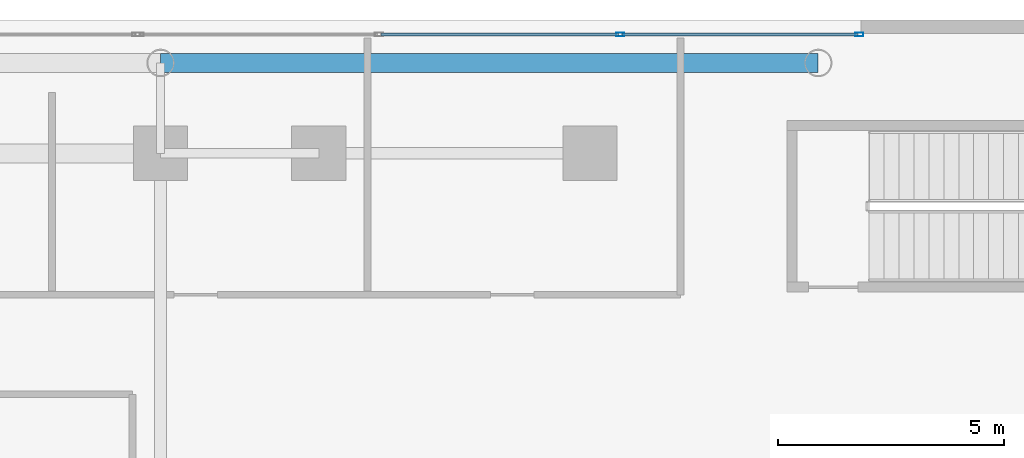
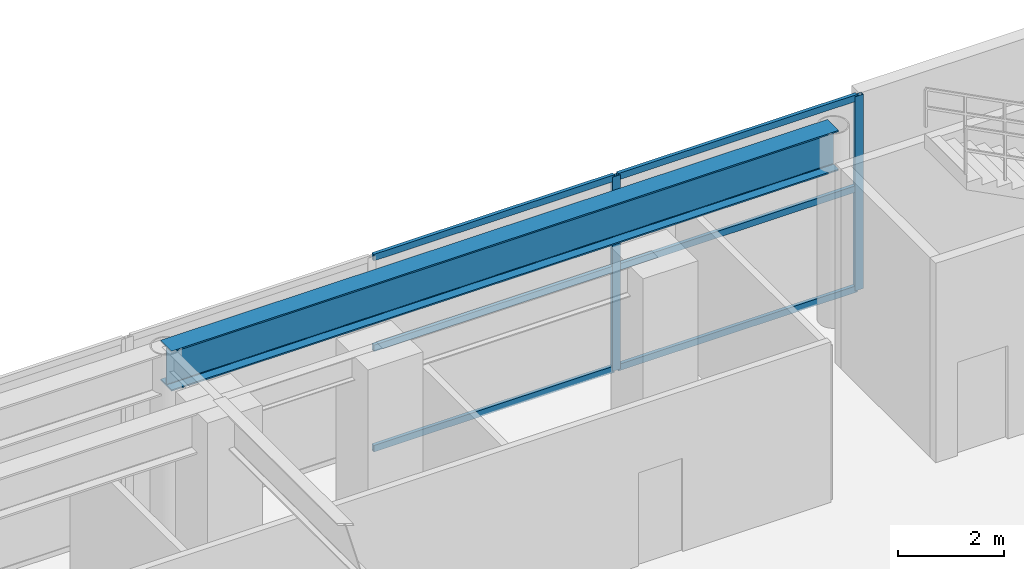
# One storey, part 16 of 28: 8 members, 1 beam, 1 element without a shape of its own.
"""IFC4 building model written with IfcOpenShell, lengths in metres."""

from ifc_helpers import new_model, si_unit, direction, frame, origin, origin_2d, place, context, subcontext, project, spatial, hollow_rectangle, i_section, extrude, source, transform, mapped, material, layer, layer_set, material_profile, profile_set, type_object, element, aggregate, save


model = new_model("IFC4")

# Units and contexts
model_context = context("Model", 3, precision=1e-05, world=origin(), true_north=direction((0.0, 1.0)))
body_context = subcontext(model_context, "Body", "Model", "MODEL_VIEW")
ifc_project = project(units=[si_unit("LENGTHUNIT", "METRE"), si_unit("AREAUNIT", "SQUARE_METRE"), si_unit("VOLUMEUNIT", "CUBIC_METRE"), si_unit("PLANEANGLEUNIT", "RADIAN"), si_unit("MASSUNIT", "GRAM", prefix="KILO")], contexts=[model_context])

# Site, building, storey
site_placement = place(None, origin())
site = spatial("IfcSite", under=ifc_project, at=site_placement, CompositionType="ELEMENT")
building_placement = place(site_placement, origin())
building = spatial("IfcBuilding", under=site, at=building_placement, Name="Ocotamira Hotel", CompositionType="ELEMENT")
storey_placement = place(building_placement, frame((0.0, 0.0, 24.0)))
storey = spatial("IfcBuildingStorey", under=building, at=storey_placement, Name="L05", CompositionType="ELEMENT", Elevation=24.0)

# Beam
ifc_material_1 = material(Name="Steel ASTM A992 Grade 50", Category="steel")
ifc_material_profile_1 = material_profile(ifc_material_1, i_section(OverallWidth=0.41796875, OverallDepth=0.927001953125, WebThickness=0.019287109375, FlangeThickness=0.031982421875, FilletRadius=0.02392578125, at=origin_2d()), Name="W36X231")
ifc_profile_set_1 = profile_set([ifc_material_profile_1], Name="Steel ASTM A992 Grade 50")
beam_type = type_object("IfcBeamType", Name="BM-GIRD-W36X231", PredefinedType="BEAM", material=ifc_profile_set_1)
shared_shape_1 = source(origin(), body_context, "Body", "SweptSolid", [
    extrude(i_section(OverallWidth=0.41796875, OverallDepth=0.927001953125, WebThickness=0.019287109375, FlangeThickness=0.031982421875, FilletRadius=0.02392578125, at=origin_2d()), origin(), (0.0, 0.0, 1.0), 14.550048828125),
])
beam_placement = place(storey_placement, frame((40.5, 51.050048828125, 4.0166015625), z_axis=(1.0, 0.0, 0.0), x_axis=(0.0, 1.0, 0.0)))
element("IfcBeam", 1, at=beam_placement, inside=storey, type_object=beam_type, Name="L05 Girder Y51.05 X40.5-55.05", PredefinedType="BEAM", context=body_context, shape_type="MappedRepresentation", body=[
    mapped(shared_shape_1, transform((0.0, 0.0, 0.0), scale=1.0)),
])

# Curtain wall, members
ifc_material_2 = material(Name="Anodised pale-metal aluminium and solar glass", Category="aluminium")
ifc_layer = layer(ifc_material_2, 0.219970703125)
ifc_layer_set = layer_set([ifc_layer], Name="Anodised pale-metal aluminium and solar glass")
curtain_wall_type = type_object("IfcCurtainWallType", Name="CW-SYS1-POD", PredefinedType="NOTDEFINED", material=ifc_layer_set)
curtain_wall_placement = place(storey_placement, origin())
curtain_wall = element("IfcCurtainWall", 2, at=curtain_wall_placement, inside=storey, type_object=curtain_wall_type, Name="L05 Curtain Wall CW-1 CW-L05-N3", PredefinedType="NOTDEFINED")
ifc_material_3 = material(Name="Anodised pale-metal aluminium 6063-T6", Category="aluminium")
ifc_material_profile_2 = material_profile(ifc_material_3, hollow_rectangle(XDim=0.080078125, YDim=0.179931640625, WallThickness=0.006103515625, at=origin_2d()), Name="HSS180X80X6")
ifc_profile_set_2 = profile_set([ifc_material_profile_2], Name="Anodised pale-metal aluminium 6063-T6")
member_type_1 = type_object("IfcMemberType", Name="CWM-180X75", PredefinedType="MULLION", material=ifc_profile_set_2)
shared_shape_2 = source(origin(), body_context, "Body", "SweptSolid", [
    extrude(hollow_rectangle(XDim=0.080078125, YDim=0.179931640625, WallThickness=0.006103515625, at=origin_2d()), origin(), (0.0, 0.0, 1.0), 4.47998046875),
])
member_1_placement = place(storey_placement, frame((50.666748046875, 51.679931640625, 0.0), z_axis=(0.0, 0.0, 1.0), x_axis=(0.0, 1.0, 0.0)))
member_1 = element("IfcMember", 3, at=member_1_placement, type_object=member_type_1, Name="CW-1 mullion 3", PredefinedType="MULLION", context=body_context, shape_type="MappedRepresentation", body=[
    mapped(shared_shape_2, transform((0.0, 0.0, 0.0), scale=1.0)),
])
member_2_placement = place(storey_placement, frame((55.9599609375, 51.679931640625, 0.0), z_axis=(0.0, 0.0, 1.0), x_axis=(0.0, 1.0, 0.0)))
member_2 = element("IfcMember", 4, at=member_2_placement, type_object=member_type_1, Name="CW-1 mullion 4", PredefinedType="MULLION", context=body_context, shape_type="MappedRepresentation", body=[
    mapped(shared_shape_2, transform((0.0, 0.0, 0.0), scale=1.0)),
])
ifc_material_profile_3 = material_profile(ifc_material_3, hollow_rectangle(XDim=0.074951171875, YDim=0.14990234375, WallThickness=0.006103515625, at=origin_2d()), Name="HSS150X75X6")
ifc_profile_set_3 = profile_set([ifc_material_profile_3], Name="Anodised pale-metal aluminium 6063-T6")
member_type_2 = type_object("IfcMemberType", Name="CWT-150X75", PredefinedType="USERDEFINED", material=ifc_profile_set_3)
shared_shape_3 = source(origin(), body_context, "Body", "SweptSolid", [
    extrude(hollow_rectangle(XDim=0.074951171875, YDim=0.14990234375, WallThickness=0.006103515625, at=origin_2d()), origin(), (0.0, 0.0, 1.0), 5.213134765625),
])
member_3_placement = place(storey_placement, frame((50.706787109375, 51.679931640625, 0.03759765625), z_axis=(1.0, 0.0, 0.0), x_axis=(0.0, 1.0, 0.0)))
member_3 = element("IfcMember", 5, at=member_3_placement, type_object=member_type_2, Name="CW-1 transom 3.1", ObjectType="TRANSOM", PredefinedType="USERDEFINED", context=body_context, shape_type="MappedRepresentation", body=[
    mapped(shared_shape_3, transform((0.0, 0.0, 0.0), scale=1.0)),
])
member_4_placement = place(storey_placement, frame((50.706787109375, 51.679931640625, 2.35009765625), z_axis=(1.0, 0.0, 0.0), x_axis=(0.0, 1.0, 0.0)))
member_4 = element("IfcMember", 6, at=member_4_placement, type_object=member_type_2, Name="CW-1 transom 3.2", ObjectType="TRANSOM", PredefinedType="USERDEFINED", context=body_context, shape_type="MappedRepresentation", body=[
    mapped(shared_shape_3, transform((0.0, 0.0, 0.0), scale=1.0)),
])
member_5_placement = place(storey_placement, frame((50.706787109375, 51.679931640625, 4.4423828125), z_axis=(1.0, 0.0, 0.0), x_axis=(0.0, 1.0, 0.0)))
member_5 = element("IfcMember", 7, at=member_5_placement, type_object=member_type_2, Name="CW-1 transom 3.3", ObjectType="TRANSOM", PredefinedType="USERDEFINED", context=body_context, shape_type="MappedRepresentation", body=[
    mapped(shared_shape_3, transform((0.0, 0.0, 0.0), scale=1.0)),
])
shared_shape_4 = source(origin(), body_context, "Body", "SweptSolid", [
    extrude(hollow_rectangle(XDim=0.074951171875, YDim=0.14990234375, WallThickness=0.006103515625, at=origin_2d()), origin(), (0.0, 0.0, 1.0), 5.25341796875),
])
member_6_placement = place(storey_placement, frame((45.373291015625, 51.679931640625, 0.03759765625), z_axis=(1.0, 0.0, 0.0), x_axis=(0.0, 1.0, 0.0)))
member_6 = element("IfcMember", 8, at=member_6_placement, type_object=member_type_2, Name="CW-1 transom 2.1", ObjectType="TRANSOM", PredefinedType="USERDEFINED", context=body_context, shape_type="MappedRepresentation", body=[
    mapped(shared_shape_4, transform((0.0, 0.0, 0.0), scale=1.0)),
])
member_7_placement = place(storey_placement, frame((45.373291015625, 51.679931640625, 2.35009765625), z_axis=(1.0, 0.0, 0.0), x_axis=(0.0, 1.0, 0.0)))
member_7 = element("IfcMember", 9, at=member_7_placement, type_object=member_type_2, Name="CW-1 transom 2.2", ObjectType="TRANSOM", PredefinedType="USERDEFINED", context=body_context, shape_type="MappedRepresentation", body=[
    mapped(shared_shape_4, transform((0.0, 0.0, 0.0), scale=1.0)),
])
member_8_placement = place(storey_placement, frame((45.373291015625, 51.679931640625, 4.4423828125), z_axis=(1.0, 0.0, 0.0), x_axis=(0.0, 1.0, 0.0)))
member_8 = element("IfcMember", 10, at=member_8_placement, type_object=member_type_2, Name="CW-1 transom 2.3", ObjectType="TRANSOM", PredefinedType="USERDEFINED", context=body_context, shape_type="MappedRepresentation", body=[
    mapped(shared_shape_4, transform((0.0, 0.0, 0.0), scale=1.0)),
])
aggregate(curtain_wall, [member_1, member_2, member_6, member_7, member_8, member_3, member_4, member_5])

save(model, "model.ifc")
